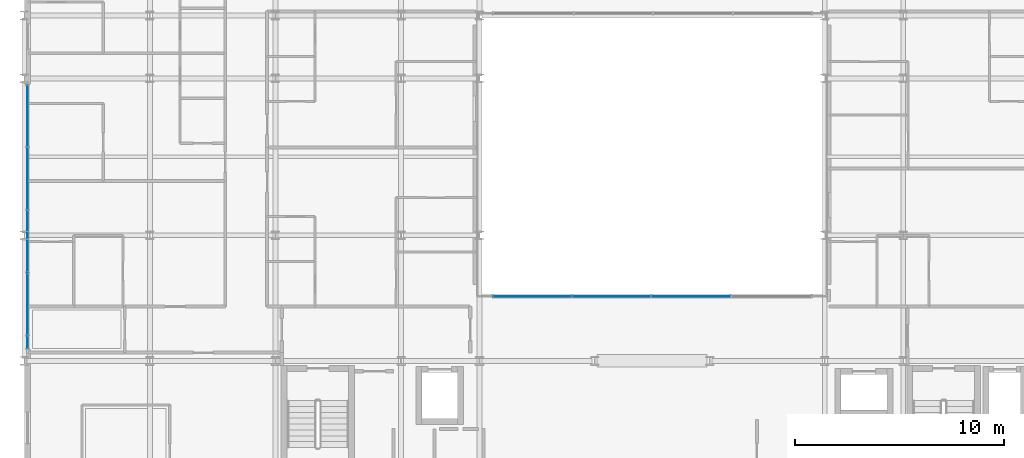
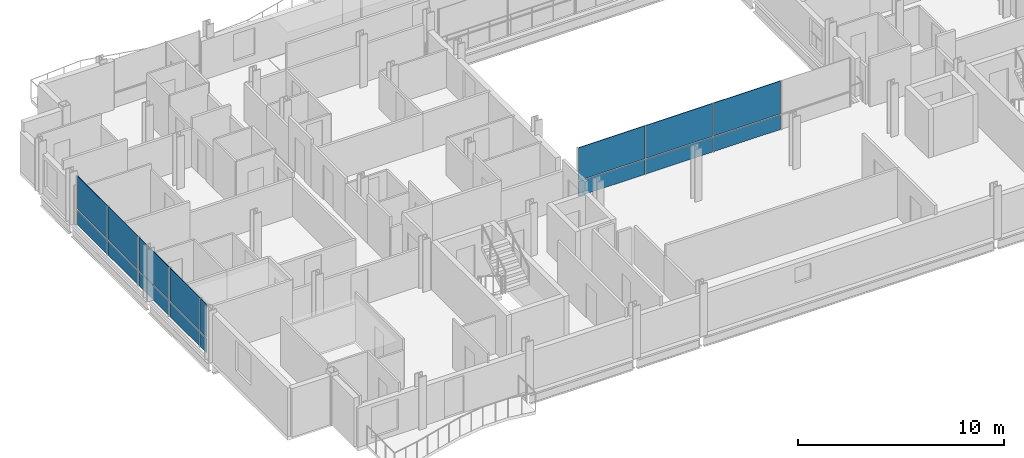
# One storey, part 26 of 41: 16 plates, 2 elements without a shape of their own.
"""IFC4 building model written with IfcOpenShell, lengths in metres."""

from ifc_helpers import new_model, si_unit, direction, frame, origin, origin_2d, place, context, subcontext, project, spatial, rectangle, extrude, material, layer, layer_set, type_object, element, aggregate, save


model = new_model("IFC4")

# Units and contexts
model_context = context("Model", 3, precision=1e-05, world=origin(), true_north=direction((0.0, 1.0)))
body_context = subcontext(model_context, "Body", "Model", "MODEL_VIEW")
ifc_project = project(units=[si_unit("LENGTHUNIT", "METRE"), si_unit("AREAUNIT", "SQUARE_METRE"), si_unit("VOLUMEUNIT", "CUBIC_METRE"), si_unit("PLANEANGLEUNIT", "RADIAN"), si_unit("MASSUNIT", "GRAM", prefix="KILO")], contexts=[model_context])

# Site, building, storey
site_placement = place(None, origin())
site = spatial("IfcSite", under=ifc_project, at=site_placement, CompositionType="ELEMENT")
building_placement = place(site_placement, origin())
building = spatial("IfcBuilding", under=site, at=building_placement, Name="Brevholm Reach", CompositionType="ELEMENT")
storey_placement = place(building_placement, frame((0.0, 0.0, 100.39990234375)))
storey = spatial("IfcBuildingStorey", under=building, at=storey_placement, Name="L29", CompositionType="ELEMENT", Elevation=100.39990234375)

# Curtain wall, plates
ifc_material_1 = material(Name="Dark Anodised Aluminium 6063-T6 and Solar-Control Glass", Category="aluminium")
ifc_layer_1 = layer(ifc_material_1, 0.14990234375)
ifc_layer_set_1 = layer_set([ifc_layer_1], Name="Dark Anodised Aluminium 6063-T6 and Solar-Control Glass")
curtain_wall_type_1 = type_object("IfcCurtainWallType", Name="CW-01", PredefinedType="NOTDEFINED", material=ifc_layer_set_1)
curtain_wall_1_placement = place(storey_placement, origin())
curtain_wall_1 = element("IfcCurtainWall", 1, at=curtain_wall_1_placement, inside=storey, type_object=curtain_wall_type_1, Name="L29 Curtain Wall CW-01", PredefinedType="NOTDEFINED")
ifc_material_2 = material(Name="Dark Solar-Control Double-Glazed IGU Glass", Category="glass")
ifc_layer_2 = layer(ifc_material_2, 0.028076171875)
ifc_layer_set_2 = layer_set([ifc_layer_2], Name="Dark Solar-Control Double-Glazed IGU Glass")
plate_type_1 = type_object("IfcPlateType", Name="CWP-GLZ-28", PredefinedType="CURTAIN_PANEL", material=ifc_layer_set_2)
plate_1_placement = place(storey_placement, frame((0.14990234375, 21.703857421875, 0.0), z_axis=(0.0, 0.0, 1.0), x_axis=(0.0, -1.0, 0.0)))
plate_1 = element("IfcPlate", 2, at=plate_1_placement, type_object=plate_type_1, Name="CP-01 Glazing Panel 1.1", PredefinedType="CURTAIN_PANEL", context=body_context, shape_type="SweptSolid", body=[
    extrude(rectangle(XDim=2.902587890625, YDim=0.028076171875, at=origin_2d()), origin(), (0.0, 0.0, 1.0), 0.867431640625),
])
plate_2_placement = place(storey_placement, frame((0.14990234375, 21.703857421875, 0.9326171875), z_axis=(0.0, 0.0, 1.0), x_axis=(0.0, -1.0, 0.0)))
plate_2 = element("IfcPlate", 3, at=plate_2_placement, type_object=plate_type_1, Name="CP-01 Glazing Panel 1.2", PredefinedType="CURTAIN_PANEL", context=body_context, shape_type="SweptSolid", body=[
    extrude(rectangle(XDim=2.902587890625, YDim=0.028076171875, at=origin_2d()), origin(), (0.0, 0.0, 1.0), 1.947509765625),
])
plate_3_placement = place(storey_placement, frame((0.14990234375, 18.719970703125, 0.0), z_axis=(0.0, 0.0, 1.0), x_axis=(0.0, -1.0, 0.0)))
plate_3 = element("IfcPlate", 4, at=plate_3_placement, type_object=plate_type_1, Name="CP-01 Glazing Panel 2.1", PredefinedType="CURTAIN_PANEL", context=body_context, shape_type="SweptSolid", body=[
    extrude(rectangle(XDim=2.93505859375, YDim=0.028076171875, at=origin_2d()), origin(), (0.0, 0.0, 1.0), 0.867431640625),
])
plate_4_placement = place(storey_placement, frame((0.14990234375, 18.719970703125, 0.9326171875), z_axis=(0.0, 0.0, 1.0), x_axis=(0.0, -1.0, 0.0)))
plate_4 = element("IfcPlate", 5, at=plate_4_placement, type_object=plate_type_1, Name="CP-01 Glazing Panel 2.2", PredefinedType="CURTAIN_PANEL", context=body_context, shape_type="SweptSolid", body=[
    extrude(rectangle(XDim=2.93505859375, YDim=0.028076171875, at=origin_2d()), origin(), (0.0, 0.0, 1.0), 1.947509765625),
])
plate_5_placement = place(storey_placement, frame((0.14990234375, 15.719970703125, 0.0), z_axis=(0.0, 0.0, 1.0), x_axis=(0.0, -1.0, 0.0)))
plate_5 = element("IfcPlate", 6, at=plate_5_placement, type_object=plate_type_1, Name="CP-01 Glazing Panel 3.1", PredefinedType="CURTAIN_PANEL", context=body_context, shape_type="SweptSolid", body=[
    extrude(rectangle(XDim=2.93505859375, YDim=0.028076171875, at=origin_2d()), origin(), (0.0, 0.0, 1.0), 0.867431640625),
])
plate_6_placement = place(storey_placement, frame((0.14990234375, 15.719970703125, 0.9326171875), z_axis=(0.0, 0.0, 1.0), x_axis=(0.0, -1.0, 0.0)))
plate_6 = element("IfcPlate", 7, at=plate_6_placement, type_object=plate_type_1, Name="CP-01 Glazing Panel 3.2", PredefinedType="CURTAIN_PANEL", context=body_context, shape_type="SweptSolid", body=[
    extrude(rectangle(XDim=2.93505859375, YDim=0.028076171875, at=origin_2d()), origin(), (0.0, 0.0, 1.0), 1.947509765625),
])
plate_7_placement = place(storey_placement, frame((0.14990234375, 12.719970703125, 0.0), z_axis=(0.0, 0.0, 1.0), x_axis=(0.0, -1.0, 0.0)))
plate_7 = element("IfcPlate", 8, at=plate_7_placement, type_object=plate_type_1, Name="CP-01 Glazing Panel 4.1", PredefinedType="CURTAIN_PANEL", context=body_context, shape_type="SweptSolid", body=[
    extrude(rectangle(XDim=2.93505859375, YDim=0.028076171875, at=origin_2d()), origin(), (0.0, 0.0, 1.0), 0.867431640625),
])
plate_8_placement = place(storey_placement, frame((0.14990234375, 12.719970703125, 0.9326171875), z_axis=(0.0, 0.0, 1.0), x_axis=(0.0, -1.0, 0.0)))
plate_8 = element("IfcPlate", 9, at=plate_8_placement, type_object=plate_type_1, Name="CP-01 Glazing Panel 4.2", PredefinedType="CURTAIN_PANEL", context=body_context, shape_type="SweptSolid", body=[
    extrude(rectangle(XDim=2.93505859375, YDim=0.028076171875, at=origin_2d()), origin(), (0.0, 0.0, 1.0), 1.947509765625),
])
plate_9_placement = place(storey_placement, frame((0.14990234375, 10.9013671875, 0.0), z_axis=(0.0, 0.0, 1.0), x_axis=(0.0, -1.0, 0.0)))
plate_9 = element("IfcPlate", 10, at=plate_9_placement, type_object=plate_type_1, Name="CP-01 Glazing Panel 5.1", PredefinedType="CURTAIN_PANEL", context=body_context, shape_type="SweptSolid", body=[
    extrude(rectangle(XDim=0.572509765625, YDim=0.028076171875, at=origin_2d()), origin(), (0.0, 0.0, 1.0), 0.867431640625),
])
plate_10_placement = place(storey_placement, frame((0.14990234375, 10.9013671875, 0.9326171875), z_axis=(0.0, 0.0, 1.0), x_axis=(0.0, -1.0, 0.0)))
plate_10 = element("IfcPlate", 11, at=plate_10_placement, type_object=plate_type_1, Name="CP-01 Glazing Panel 5.2", PredefinedType="CURTAIN_PANEL", context=body_context, shape_type="SweptSolid", body=[
    extrude(rectangle(XDim=0.572509765625, YDim=0.028076171875, at=origin_2d()), origin(), (0.0, 0.0, 1.0), 1.947509765625),
])
aggregate(curtain_wall_1, [plate_1, plate_2, plate_3, plate_4, plate_5, plate_6, plate_7, plate_8, plate_9, plate_10])

ifc_material_3 = material(Name="Dark Anodised Aluminium 6063-T6 and Solar-Control Glass", Category="aluminium")
ifc_layer_3 = layer(ifc_material_3, 0.139892578125)
ifc_layer_set_3 = layer_set([ifc_layer_3], Name="Dark Anodised Aluminium 6063-T6 and Solar-Control Glass")
curtain_wall_type_2 = type_object("IfcCurtainWallType", Name="CW-02", PredefinedType="NOTDEFINED", material=ifc_layer_set_3)
curtain_wall_2_placement = place(storey_placement, origin())
curtain_wall_2 = element("IfcCurtainWall", 12, at=curtain_wall_2_placement, inside=storey, type_object=curtain_wall_type_2, Name="L29 Curtain Wall CW-02", PredefinedType="NOTDEFINED")
ifc_material_4 = material(Name="Low-Iron Laminated Acoustic Glass", Category="glass")
ifc_layer_4 = layer(ifc_material_4, 0.035888671875)
ifc_layer_set_4 = layer_set([ifc_layer_4], Name="Low-Iron Laminated Acoustic Glass")
plate_type_2 = type_object("IfcPlateType", Name="CWP-GLZ-36", PredefinedType="CURTAIN_PANEL", material=ifc_layer_set_4)
plate_11_placement = place(storey_placement, frame((24.264892578125, 13.080078125, 0.0), z_axis=(0.0, 0.0, 1.0), x_axis=(1.0, 0.0, 0.0)))
plate_11 = element("IfcPlate", 13, at=plate_11_placement, type_object=plate_type_2, Name="CP-02 Glazing Panel 1.1", PredefinedType="CURTAIN_PANEL", context=body_context, shape_type="SweptSolid", body=[
    extrude(rectangle(XDim=3.7099609375, YDim=0.035888671875, at=origin_2d()), origin(), (0.0, 0.0, 1.0), 0.8701171875),
])
plate_12_placement = place(storey_placement, frame((24.264892578125, 13.080078125, 0.93017578125), z_axis=(0.0, 0.0, 1.0), x_axis=(1.0, 0.0, 0.0)))
plate_12 = element("IfcPlate", 14, at=plate_12_placement, type_object=plate_type_2, Name="CP-02 Glazing Panel 1.2", PredefinedType="CURTAIN_PANEL", context=body_context, shape_type="SweptSolid", body=[
    extrude(rectangle(XDim=3.7099609375, YDim=0.035888671875, at=origin_2d()), origin(), (0.0, 0.0, 1.0), 1.949951171875),
])
plate_13_placement = place(storey_placement, frame((28.050048828125, 13.080078125, 0.0), z_axis=(0.0, 0.0, 1.0), x_axis=(1.0, 0.0, 0.0)))
plate_13 = element("IfcPlate", 15, at=plate_13_placement, type_object=plate_type_2, Name="CP-02 Glazing Panel 2.1", PredefinedType="CURTAIN_PANEL", context=body_context, shape_type="SweptSolid", body=[
    extrude(rectangle(XDim=3.739990234375, YDim=0.035888671875, at=origin_2d()), origin(), (0.0, 0.0, 1.0), 0.8701171875),
])
plate_14_placement = place(storey_placement, frame((28.050048828125, 13.080078125, 0.93017578125), z_axis=(0.0, 0.0, 1.0), x_axis=(1.0, 0.0, 0.0)))
plate_14 = element("IfcPlate", 16, at=plate_14_placement, type_object=plate_type_2, Name="CP-02 Glazing Panel 2.2", PredefinedType="CURTAIN_PANEL", context=body_context, shape_type="SweptSolid", body=[
    extrude(rectangle(XDim=3.739990234375, YDim=0.035888671875, at=origin_2d()), origin(), (0.0, 0.0, 1.0), 1.949951171875),
])
plate_15_placement = place(storey_placement, frame((31.85009765625, 13.080078125, 0.0), z_axis=(0.0, 0.0, 1.0), x_axis=(1.0, 0.0, 0.0)))
plate_15 = element("IfcPlate", 17, at=plate_15_placement, type_object=plate_type_2, Name="CP-02 Glazing Panel 3.1", PredefinedType="CURTAIN_PANEL", context=body_context, shape_type="SweptSolid", body=[
    extrude(rectangle(XDim=3.739990234375, YDim=0.035888671875, at=origin_2d()), origin(), (0.0, 0.0, 1.0), 0.8701171875),
])
plate_16_placement = place(storey_placement, frame((31.85009765625, 13.080078125, 0.93017578125), z_axis=(0.0, 0.0, 1.0), x_axis=(1.0, 0.0, 0.0)))
plate_16 = element("IfcPlate", 18, at=plate_16_placement, type_object=plate_type_2, Name="CP-02 Glazing Panel 3.2", PredefinedType="CURTAIN_PANEL", context=body_context, shape_type="SweptSolid", body=[
    extrude(rectangle(XDim=3.739990234375, YDim=0.035888671875, at=origin_2d()), origin(), (0.0, 0.0, 1.0), 1.949951171875),
])
aggregate(curtain_wall_2, [plate_11, plate_12, plate_13, plate_14, plate_15, plate_16])

save(model, "model.ifc")
